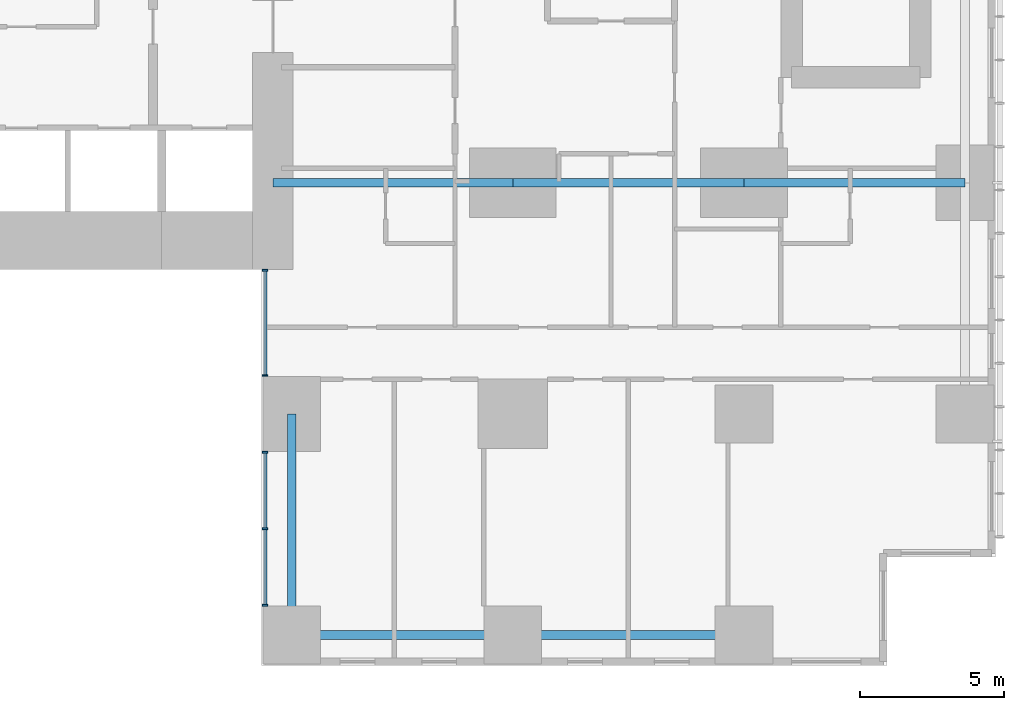
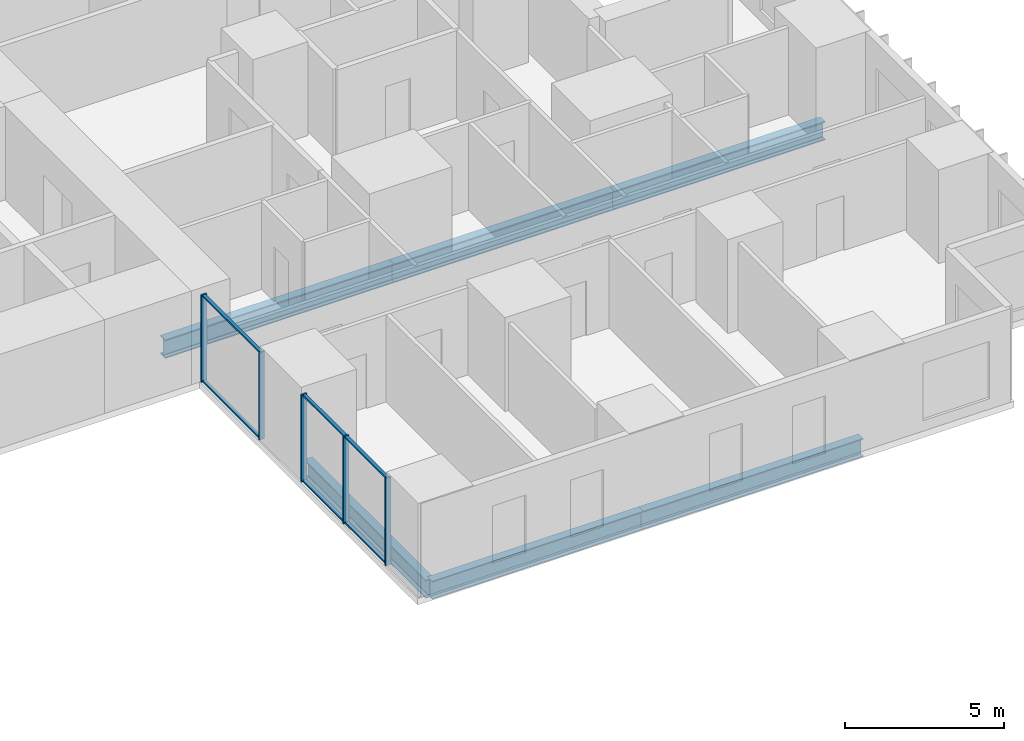
# One storey, part 3 of 20: 11 members, 6 beams, 2 elements without a shape of their own.
"""IFC4 building model written with IfcOpenShell, lengths in metres."""

from ifc_helpers import new_model, si_unit, direction, frame, origin, origin_2d, place, context, subcontext, project, spatial, rectangle, i_section, extrude, material, layer, layer_set, material_profile, profile_set, type_object, element, aggregate, save


model = new_model("IFC4")

# Units and contexts
model_context = context("Model", 3, precision=1e-05, world=origin(), true_north=direction((0.0, 1.0)))
body_context = subcontext(model_context, "Body", "Model", "MODEL_VIEW")
ifc_project = project(units=[si_unit("LENGTHUNIT", "METRE"), si_unit("AREAUNIT", "SQUARE_METRE"), si_unit("VOLUMEUNIT", "CUBIC_METRE"), si_unit("PLANEANGLEUNIT", "RADIAN"), si_unit("MASSUNIT", "GRAM", prefix="KILO")], contexts=[model_context])

# Site, building, storey
site_placement = place(None, origin())
site = spatial("IfcSite", under=ifc_project, at=site_placement, CompositionType="ELEMENT")
building_placement = place(site_placement, origin())
building = spatial("IfcBuilding", under=site, at=building_placement, Name="Cleftline Residences", CompositionType="ELEMENT")
storey_placement = place(building_placement, frame((0.0, 0.0, 117.800048828125)))
storey = spatial("IfcBuildingStorey", under=building, at=storey_placement, Name="L30", CompositionType="ELEMENT", Elevation=117.800048828125)

# Beams
ifc_material_1 = material(Name="Steel S355", Category="steel")
ifc_material_profile_1 = material_profile(ifc_material_1, i_section(OverallWidth=0.300048828125, OverallDepth=0.699951171875, WebThickness=0.01708984375, FlangeThickness=0.031982421875, FilletRadius=0.027099609375, at=origin_2d()))
ifc_profile_set_1 = profile_set([ifc_material_profile_1], Name="Steel S355")
beam_type_1 = type_object("IfcBeamType", Name="BEAM HEB 700", PredefinedType="BEAM", material=ifc_profile_set_1)
beam_1_placement = place(storey_placement, frame((58.0, 0.35009765625, -0.60009765625), z_axis=(-1.0, 0.0, 0.0), x_axis=(0.0, -1.0, 0.0)))
element("IfcBeam", 1, at=beam_1_placement, inside=storey, type_object=beam_type_1, Name="Edge beam", PredefinedType="BEAM", context=body_context, shape_type="SweptSolid", body=[
    extrude(i_section(OverallWidth=0.300048828125, OverallDepth=0.699951171875, WebThickness=0.01708984375, FlangeThickness=0.031982421875, FilletRadius=0.027099609375, at=origin_2d()), origin(), (0.0, 0.0, 1.0), 8.0),
])
for number, where, z_axis, x_axis, name in (
    (2, (50.0, 0.35009765625, -0.60009765625), (-1.0, 0.0, 0.0), (0.0, -1.0, 0.0), "Edge beam"),
    (3, (42.35009765625, 0.35009765625, -0.60009765625), (0.0, 1.0, 0.0), (-1.0, 0.0, 0.0), "Edge beam"),
):
    element("IfcBeam", number, at=place(storey_placement, frame(where, z_axis=z_axis, x_axis=x_axis)), inside=storey, type_object=beam_type_1, Name=name, PredefinedType="BEAM", context=body_context, shape_type="SweptSolid", body=[
        extrude(i_section(OverallWidth=0.300048828125, OverallDepth=0.699951171875, WebThickness=0.01708984375, FlangeThickness=0.031982421875, FilletRadius=0.027099609375, at=origin_2d()), origin(), (0.0, 0.0, 1.0), 7.64990234375),
    ])
ifc_material_2 = material(Name="Steel S355", Category="steel")
ifc_material_profile_2 = material_profile(ifc_material_2, i_section(OverallWidth=0.303955078125, OverallDepth=0.716064453125, WebThickness=0.02099609375, FlangeThickness=0.0400390625, FilletRadius=0.027099609375, at=origin_2d()))
ifc_profile_set_2 = profile_set([ifc_material_profile_2], Name="Steel S355")
beam_type_2 = type_object("IfcBeamType", Name="BEAM HEM 700", PredefinedType="BEAM", material=ifc_profile_set_2)
beam_2_placement = place(storey_placement, frame((65.64990234375, 16.0, -0.608154296875), z_axis=(-1.0, 0.0, 0.0), x_axis=(0.0, -1.0, 0.0)))
element("IfcBeam", 4, at=beam_2_placement, inside=storey, type_object=beam_type_2, Name="Band beam", PredefinedType="BEAM", context=body_context, shape_type="SweptSolid", body=[
    extrude(i_section(OverallWidth=0.303955078125, OverallDepth=0.716064453125, WebThickness=0.02099609375, FlangeThickness=0.0400390625, FilletRadius=0.027099609375, at=origin_2d()), origin(), (0.0, 0.0, 1.0), 7.64990234375),
])
beam_3_placement = place(storey_placement, frame((58.0, 16.0, -0.608154296875), z_axis=(-1.0, 0.0, 0.0), x_axis=(0.0, -1.0, 0.0)))
element("IfcBeam", 5, at=beam_3_placement, inside=storey, type_object=beam_type_2, Name="Band beam", PredefinedType="BEAM", context=body_context, shape_type="SweptSolid", body=[
    extrude(i_section(OverallWidth=0.303955078125, OverallDepth=0.716064453125, WebThickness=0.02099609375, FlangeThickness=0.0400390625, FilletRadius=0.027099609375, at=origin_2d()), origin(), (0.0, 0.0, 1.0), 8.0),
])
beam_4_placement = place(storey_placement, frame((50.0, 16.0, -0.608154296875), z_axis=(-1.0, 0.0, 0.0), x_axis=(0.0, -1.0, 0.0)))
element("IfcBeam", 6, at=beam_4_placement, inside=storey, type_object=beam_type_2, Name="Band beam", PredefinedType="BEAM", context=body_context, shape_type="SweptSolid", body=[
    extrude(i_section(OverallWidth=0.303955078125, OverallDepth=0.716064453125, WebThickness=0.02099609375, FlangeThickness=0.0400390625, FilletRadius=0.027099609375, at=origin_2d()), origin(), (0.0, 0.0, 1.0), 8.300048828125),
])

# Curtain wall, members
ifc_material_3 = material(Name="Aluminium framed curtain wall", Category="aluminium")
ifc_layer = layer(ifc_material_3, 0.199951171875)
ifc_layer_set = layer_set([ifc_layer], Name="CW1 CLEFT GLAZING")
curtain_wall_type = type_object("IfcCurtainWallType", Name="CW1 CLEFT GLAZING", PredefinedType="NOTDEFINED", material=ifc_layer_set)
curtain_wall_1_placement = place(storey_placement, origin())
curtain_wall_1 = element("IfcCurtainWall", 7, at=curtain_wall_1_placement, inside=storey, type_object=curtain_wall_type, Name="Curtain wall CW1", PredefinedType="NOTDEFINED")
ifc_material_4 = material(Name="Aluminium mullion", Category="aluminium")
ifc_material_profile_3 = material_profile(ifc_material_4, rectangle(XDim=0.199951171875, YDim=0.06005859375, at=origin_2d()))
ifc_profile_set_3 = profile_set([ifc_material_profile_3], Name="Aluminium mullion")
member_type_1 = type_object("IfcMemberType", Name="CW1 MULLION", PredefinedType="MULLION", material=ifc_profile_set_3)
member_1_placement = place(storey_placement, frame((41.425048828125, 12.969970703125, 0.0), z_axis=(0.0, 0.0, 1.0), x_axis=(1.0, 0.0, 0.0)))
member_1 = element("IfcMember", 8, at=member_1_placement, type_object=member_type_1, Name="CW1 mullion 1", PredefinedType="MULLION", context=body_context, shape_type="SweptSolid", body=[
    extrude(rectangle(XDim=0.199951171875, YDim=0.06005859375, at=origin_2d()), origin(), (0.0, 0.0, 1.0), 3.349853515625),
])
member_2_placement = place(storey_placement, frame((41.425048828125, 9.330078125, 0.0), z_axis=(0.0, 0.0, 1.0), x_axis=(1.0, 0.0, 0.0)))
member_2 = element("IfcMember", 9, at=member_2_placement, type_object=member_type_1, Name="CW1 mullion 2", PredefinedType="MULLION", context=body_context, shape_type="SweptSolid", body=[
    extrude(rectangle(XDim=0.199951171875, YDim=0.06005859375, at=origin_2d()), origin(), (0.0, 0.0, 1.0), 3.349853515625),
])

curtain_wall_2_placement = place(storey_placement, origin())
curtain_wall_2 = element("IfcCurtainWall", 10, at=curtain_wall_2_placement, inside=storey, type_object=curtain_wall_type, Name="Curtain wall CW1", PredefinedType="NOTDEFINED")
member_3_placement = place(storey_placement, frame((41.425048828125, 6.669921875, 0.0), z_axis=(0.0, 0.0, 1.0), x_axis=(1.0, 0.0, 0.0)))
member_3 = element("IfcMember", 11, at=member_3_placement, type_object=member_type_1, Name="CW1 mullion 1", PredefinedType="MULLION", context=body_context, shape_type="SweptSolid", body=[
    extrude(rectangle(XDim=0.199951171875, YDim=0.06005859375, at=origin_2d()), origin(), (0.0, 0.0, 1.0), 3.349853515625),
])
member_4_placement = place(storey_placement, frame((41.425048828125, 4.02490234375, 0.0), z_axis=(0.0, 0.0, 1.0), x_axis=(1.0, 0.0, 0.0)))
member_4 = element("IfcMember", 12, at=member_4_placement, type_object=member_type_1, Name="CW1 mullion 2", PredefinedType="MULLION", context=body_context, shape_type="SweptSolid", body=[
    extrude(rectangle(XDim=0.199951171875, YDim=0.06005859375, at=origin_2d()), origin(), (0.0, 0.0, 1.0), 3.349853515625),
])
member_5_placement = place(storey_placement, frame((41.425048828125, 1.3798828125, 0.0), z_axis=(0.0, 0.0, 1.0), x_axis=(1.0, 0.0, 0.0)))
member_5 = element("IfcMember", 13, at=member_5_placement, type_object=member_type_1, Name="CW1 mullion 3", PredefinedType="MULLION", context=body_context, shape_type="SweptSolid", body=[
    extrude(rectangle(XDim=0.199951171875, YDim=0.06005859375, at=origin_2d()), origin(), (0.0, 0.0, 1.0), 3.349853515625),
])

# Member
ifc_material_5 = material(Name="Aluminium transom", Category="aluminium")
ifc_material_profile_4 = material_profile(ifc_material_5, rectangle(XDim=0.1201171875, YDim=0.06005859375, at=origin_2d()))
ifc_profile_set_4 = profile_set([ifc_material_profile_4], Name="Aluminium transom")
member_type_2 = type_object("IfcMemberType", Name="CW1 TRANSOM", PredefinedType="USERDEFINED", material=ifc_profile_set_4)
member_6_placement = place(storey_placement, frame((41.425048828125, 12.93994140625, 0.030029296875), z_axis=(0.0, -1.0, 0.0), x_axis=(1.0, 0.0, 0.0)))
member_6 = element("IfcMember", 14, at=member_6_placement, type_object=member_type_2, Name="CW1 transom 1.1", ObjectType="TRANSOM", PredefinedType="USERDEFINED", context=body_context, shape_type="SweptSolid", body=[
    extrude(rectangle(XDim=0.1201171875, YDim=0.06005859375, at=origin_2d()), origin(), (0.0, 0.0, 1.0), 3.579833984375),
])

member_7_placement = place(storey_placement, frame((41.425048828125, 12.93994140625, 3.320068359375), z_axis=(0.0, -1.0, 0.0), x_axis=(1.0, 0.0, 0.0)))
member_7 = element("IfcMember", 15, at=member_7_placement, type_object=member_type_2, Name="CW1 transom 1.2", ObjectType="TRANSOM", PredefinedType="USERDEFINED", context=body_context, shape_type="SweptSolid", body=[
    extrude(rectangle(XDim=0.1201171875, YDim=0.06005859375, at=origin_2d()), origin(), (0.0, 0.0, 1.0), 3.579833984375),
])

aggregate(curtain_wall_1, [member_1, member_2, member_6, member_7])

member_8_placement = place(storey_placement, frame((41.425048828125, 6.639892578125, 0.030029296875), z_axis=(0.0, -1.0, 0.0), x_axis=(1.0, 0.0, 0.0)))
member_8 = element("IfcMember", 16, at=member_8_placement, type_object=member_type_2, Name="CW1 transom 1.1", ObjectType="TRANSOM", PredefinedType="USERDEFINED", context=body_context, shape_type="SweptSolid", body=[
    extrude(rectangle(XDim=0.1201171875, YDim=0.06005859375, at=origin_2d()), origin(), (0.0, 0.0, 1.0), 2.5849609375),
])

member_9_placement = place(storey_placement, frame((41.425048828125, 6.639892578125, 3.320068359375), z_axis=(0.0, -1.0, 0.0), x_axis=(1.0, 0.0, 0.0)))
member_9 = element("IfcMember", 17, at=member_9_placement, type_object=member_type_2, Name="CW1 transom 1.2", ObjectType="TRANSOM", PredefinedType="USERDEFINED", context=body_context, shape_type="SweptSolid", body=[
    extrude(rectangle(XDim=0.1201171875, YDim=0.06005859375, at=origin_2d()), origin(), (0.0, 0.0, 1.0), 2.5849609375),
])

member_10_placement = place(storey_placement, frame((41.425048828125, 3.9951171875, 0.030029296875), z_axis=(0.0, -1.0, 0.0), x_axis=(1.0, 0.0, 0.0)))
member_10 = element("IfcMember", 18, at=member_10_placement, type_object=member_type_2, Name="CW1 transom 2.1", ObjectType="TRANSOM", PredefinedType="USERDEFINED", context=body_context, shape_type="SweptSolid", body=[
    extrude(rectangle(XDim=0.1201171875, YDim=0.06005859375, at=origin_2d()), origin(), (0.0, 0.0, 1.0), 2.585205078125),
])

member_11_placement = place(storey_placement, frame((41.425048828125, 3.9951171875, 3.320068359375), z_axis=(0.0, -1.0, 0.0), x_axis=(1.0, 0.0, 0.0)))
member_11 = element("IfcMember", 19, at=member_11_placement, type_object=member_type_2, Name="CW1 transom 2.2", ObjectType="TRANSOM", PredefinedType="USERDEFINED", context=body_context, shape_type="SweptSolid", body=[
    extrude(rectangle(XDim=0.1201171875, YDim=0.06005859375, at=origin_2d()), origin(), (0.0, 0.0, 1.0), 2.585205078125),
])

aggregate(curtain_wall_2, [member_3, member_4, member_5, member_8, member_9, member_10, member_11])

save(model, "model.ifc")
